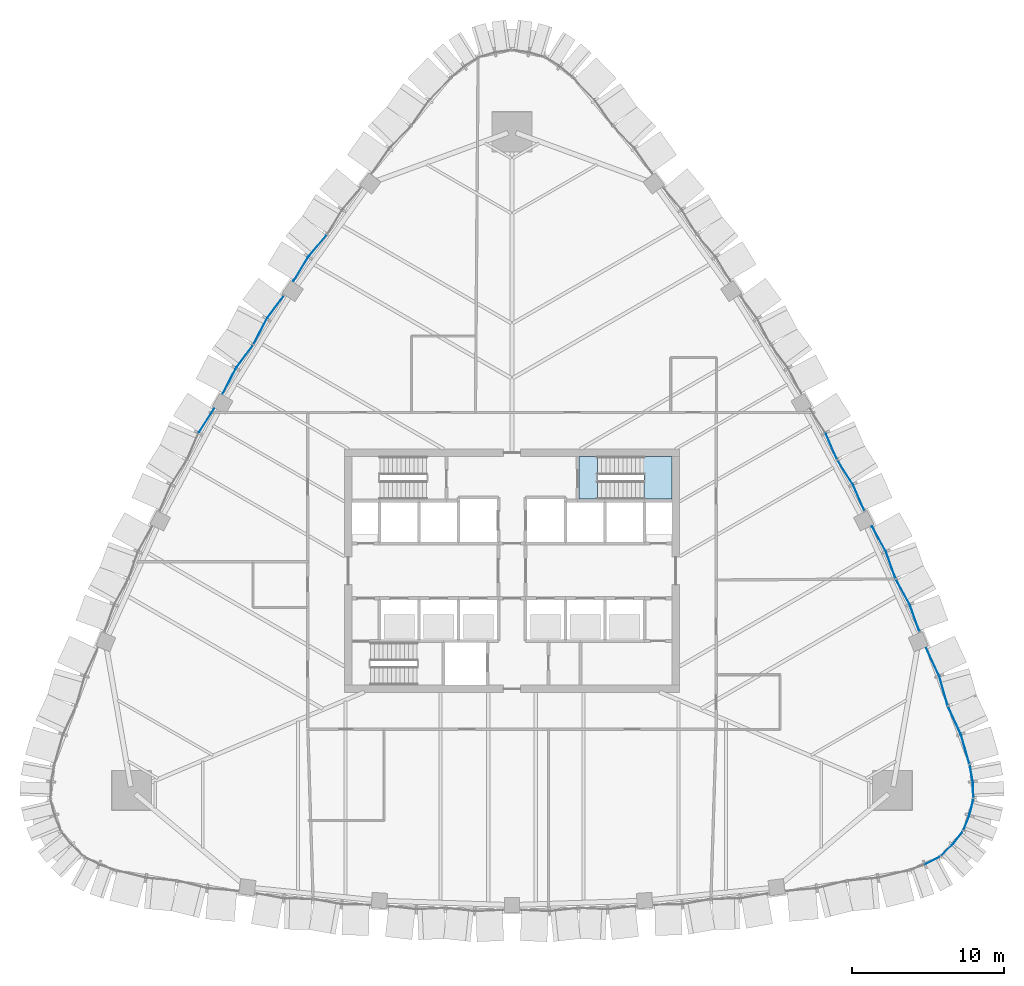
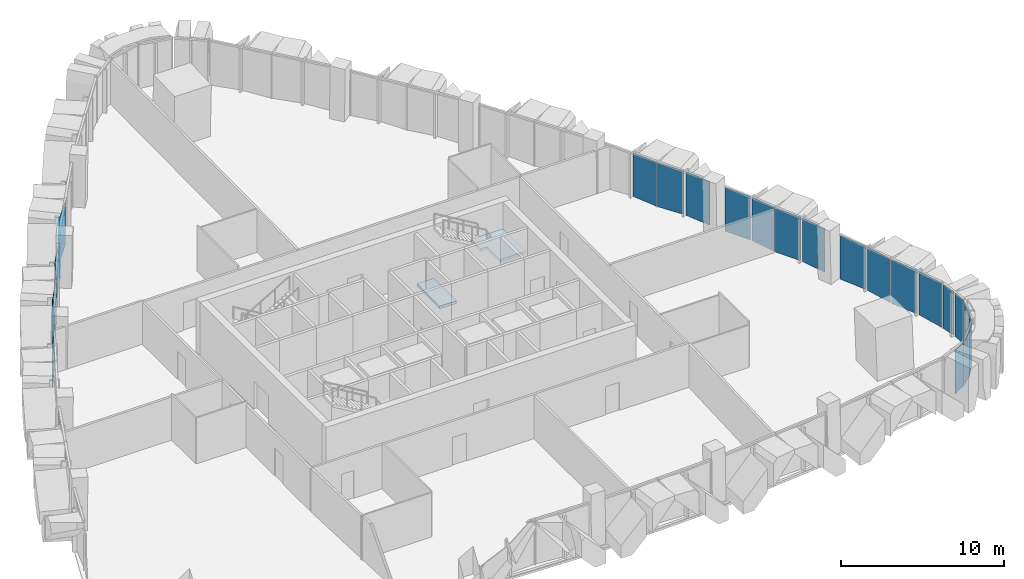
# One storey, part 10 of 18: 25 plates, 2 slabs, 11 elements without a shape of their own.
"""IFC4 building model written with IfcOpenShell, lengths in metres."""

from ifc_helpers import new_model, si_unit, direction, frame, origin, place, context, subcontext, project, spatial, polyline, outline, extrude, material, layer, layer_set, type_object, element, aggregate, save


model = new_model("IFC4")

# Units and contexts
model_context = context("Model", 3, precision=1e-05, world=origin(), true_north=direction((0.0, 1.0)))
body_context = subcontext(model_context, "Body", "Model", "MODEL_VIEW")
ifc_project = project(units=[si_unit("LENGTHUNIT", "METRE"), si_unit("AREAUNIT", "SQUARE_METRE"), si_unit("VOLUMEUNIT", "CUBIC_METRE"), si_unit("PLANEANGLEUNIT", "RADIAN"), si_unit("MASSUNIT", "GRAM", prefix="KILO")], contexts=[model_context])

# Site, building, storey
site_placement = place(None, origin())
site = spatial("IfcSite", under=ifc_project, at=site_placement, CompositionType="ELEMENT")
building_placement = place(site_placement, origin())
building = spatial("IfcBuilding", under=site, at=building_placement, Name="Sierra Prisma Convention Tower", CompositionType="ELEMENT")
storey_placement = place(building_placement, frame((0.0, 0.0, 129.800048828125)))
storey = spatial("IfcBuildingStorey", under=building, at=storey_placement, Name="L27", CompositionType="ELEMENT", Elevation=129.800048828125)

# Curtain wall, plate
ifc_material_1 = material(Name="Aluminium and glass curtain wall", Category="aluminium")
ifc_layer_1 = layer(ifc_material_1, 0.179931640625)
ifc_layer_set_1 = layer_set([ifc_layer_1], Name="CW-2 Faceted crystal curtain wall")
curtain_wall_type = type_object("IfcCurtainWallType", Name="CW-2 Faceted crystal curtain wall", PredefinedType="NOTDEFINED", material=ifc_layer_set_1)
curtain_wall_1_placement = place(storey_placement, origin())
curtain_wall_1 = element("IfcCurtainWall", 1, at=curtain_wall_1_placement, inside=storey, type_object=curtain_wall_type, Name="CW-2 SE1 L27", PredefinedType="NOTDEFINED")
ifc_material_2 = material(Name="Tinted glass bronze-grey IGU", Category="glass")
ifc_layer_2 = layer(ifc_material_2, 0.028076171875)
ifc_layer_set_2 = layer_set([ifc_layer_2], Name="CW-2 crystal pane")
plate_type = type_object("IfcPlateType", Name="CW-2 crystal pane", PredefinedType="CURTAIN_PANEL", material=ifc_layer_set_2)
plate_1_placement = place(storey_placement, frame((28.044921875, -18.7939453125, 0.0), z_axis=(0.471456464551, -0.881889336614, 0.0), x_axis=(-0.881889336614, -0.471456464551, 0.0)))
plate_1 = element("IfcPlate", 2, at=plate_1_placement, type_object=plate_type, Name="CW-2 pane SE1.1.2", PredefinedType="CURTAIN_PANEL", context=body_context, shape_type="SweptSolid", body=[
    extrude(outline(polyline([(0.0, 0.0), (0.9921879805916651, 0.0), (0.9921879805916651, -3.280029296875), (0.0, -3.280029296875), (0.0, 0.0)])), origin(), (0.0, 0.0, -1.0), 0.028076171875),
])
aggregate(curtain_wall_1, [plate_1])

# Curtain wall, plates
curtain_wall_2_placement = place(storey_placement, origin())
curtain_wall_2 = element("IfcCurtainWall", 3, at=curtain_wall_2_placement, inside=storey, type_object=curtain_wall_type, Name="CW-2 SE2 L27", PredefinedType="NOTDEFINED")
plate_2_placement = place(storey_placement, frame((28.156005859375, -18.714111328125, 0.0), z_axis=(0.686890874372, -0.726760570412, 0.0), x_axis=(0.726760570412, 0.686890874372, 0.0)))
plate_2 = element("IfcPlate", 4, at=plate_2_placement, type_object=plate_type, Name="CW-2 pane SE2.1.1", PredefinedType="CURTAIN_PANEL", context=body_context, shape_type="SweptSolid", body=[
    extrude(outline(polyline([(0.0, 0.0), (0.9920010729483986, 0.0), (0.9920010729483986, 3.280029296875), (0.0, 3.280029296875), (0.0, 0.0)])), origin(), (0.0, 0.0, -1.0), 0.028076171875),
])
plate_3_placement = place(storey_placement, frame((29.569580078125, -17.15087890625, 0.0), z_axis=(0.792047375116, -0.610459626488, 0.0), x_axis=(-0.610459626488, -0.792047375116, 0.0)))
plate_3 = element("IfcPlate", 5, at=plate_3_placement, type_object=plate_type, Name="CW-2 pane SE2.1.2", PredefinedType="CURTAIN_PANEL", context=body_context, shape_type="SweptSolid", body=[
    extrude(outline(polyline([(0.0, 0.0), (0.9922243246618905, 0.0), (0.9922243246618905, -3.280029296875), (0.0, -3.280029296875), (0.0, 0.0)])), origin(), (0.0, 0.0, -1.0), 0.028076171875),
])
aggregate(curtain_wall_2, [plate_2, plate_3])

curtain_wall_3_placement = place(storey_placement, origin())
curtain_wall_3 = element("IfcCurtainWall", 6, at=curtain_wall_3_placement, inside=storey, type_object=curtain_wall_type, Name="CW-2 SE3 L27", PredefinedType="NOTDEFINED")
plate_4_placement = place(storey_placement, frame((29.637939453125, -17.032470703125, 0.0), z_axis=(0.924678098475, -0.380749805254, 0.0), x_axis=(0.380749805254, 0.924678098475, 0.0)))
plate_4 = element("IfcPlate", 7, at=plate_4_placement, type_object=plate_type, Name="CW-2 pane SE3.1.1", PredefinedType="CURTAIN_PANEL", context=body_context, shape_type="SweptSolid", body=[
    extrude(outline(polyline([(0.0, 0.0), (0.9919520421625738, 0.0), (0.9919520421625738, 3.280029296875001), (0.0, 3.280029296875001), (0.0, 0.0)])), origin(), (0.0, 0.0, -1.0), 0.028076171875),
])
plate_5_placement = place(storey_placement, frame((30.284912109375, -15.02685546875, 0.0), z_axis=(0.972859015303, -0.231398652425, 0.0), x_axis=(-0.231398652425, -0.972859015303, 0.0)))
plate_5 = element("IfcPlate", 8, at=plate_5_placement, type_object=plate_type, Name="CW-2 pane SE3.1.2", PredefinedType="CURTAIN_PANEL", context=body_context, shape_type="SweptSolid", body=[
    extrude(outline(polyline([(0.0, 0.0), (0.9917611234756067, 0.0), (0.9917611234756067, -3.280029296875), (0.0, -3.280029296875), (0.0, 0.0)])), origin(), (0.0, 0.0, -1.0), 0.028076171875),
])
aggregate(curtain_wall_3, [plate_4, plate_5])

curtain_wall_4_placement = place(storey_placement, origin())
curtain_wall_4 = element("IfcCurtainWall", 9, at=curtain_wall_4_placement, inside=storey, type_object=curtain_wall_type, Name="CW-2 SE4 L27", PredefinedType="NOTDEFINED")
plate_6_placement = place(storey_placement, frame((30.298583984375, -14.890625, 0.0), z_axis=(0.999464131645, 0.032733004065, 0.0), x_axis=(-0.032733004065, 0.999464131645, 0.0)))
plate_6 = element("IfcPlate", 10, at=plate_6_placement, type_object=plate_type, Name="CW-2 pane SE4.1.1", PredefinedType="CURTAIN_PANEL", context=body_context, shape_type="SweptSolid", body=[
    extrude(outline(polyline([(0.0, 0.0), (0.9919866523806063, 0.0), (0.9919866523806063, 3.280029296875), (0.0, 3.280029296875), (0.0, 0.0)])), origin(), (0.0, 0.0, -1.0), 0.028076171875),
])
plate_7_placement = place(storey_placement, frame((30.064453125, -12.796142578125, 0.0), z_axis=(0.982020488227, 0.188774364529, 0.0), x_axis=(0.188774364529, -0.982020488227, 0.0)))
plate_7 = element("IfcPlate", 11, at=plate_7_placement, type_object=plate_type, Name="CW-2 pane SE4.1.2", PredefinedType="CURTAIN_PANEL", context=body_context, shape_type="SweptSolid", body=[
    extrude(outline(polyline([(0.0, 0.0), (0.9919559779339838, 0.0), (0.9919559779339838, -3.280029296875), (0.0, -3.280029296875), (0.0, 0.0)])), origin(), (0.0, 0.0, -1.0), 0.028076171875),
])
aggregate(curtain_wall_4, [plate_6, plate_7])

curtain_wall_5_placement = place(storey_placement, origin())
curtain_wall_5 = element("IfcCurtainWall", 12, at=curtain_wall_5_placement, inside=storey, type_object=curtain_wall_type, Name="CW-2 NE1 L27", PredefinedType="NOTDEFINED")
plate_8_placement = place(storey_placement, frame((30.032470703125, -12.660888671875, 0.0), z_axis=(0.961660928434, 0.274241241837, 0.0), x_axis=(-0.274241241837, 0.961660928434, 0.0)))
plate_8 = element("IfcPlate", 13, at=plate_8_placement, type_object=plate_type, Name="CW-2 pane NE1.1.1", PredefinedType="CURTAIN_PANEL", context=body_context, shape_type="SweptSolid", body=[
    extrude(outline(polyline([(0.0, 0.0), (1.9487361731047885, 0.0), (1.9487361731047885, 3.280029296875), (0.0, 3.280029296875), (0.0, 0.0)])), origin(), (0.0, 0.0, -1.0), 0.028076171875),
])
plate_9_placement = place(storey_placement, frame((28.6318359375, -8.89794921875, 0.0), z_axis=(0.906981623832, 0.421170196039, 0.0), x_axis=(0.421170196039, -0.906981623832, 0.0)))
plate_9 = element("IfcPlate", 14, at=plate_9_placement, type_object=plate_type, Name="CW-2 pane NE1.1.2", PredefinedType="CURTAIN_PANEL", context=body_context, shape_type="SweptSolid", body=[
    extrude(outline(polyline([(0.0, 0.0), (1.9488577040099995, 0.0), (1.9488577040099995, -3.280029296875), (0.0, -3.280029296875), (0.0, 0.0)])), origin(), (0.0, 0.0, -1.0), 0.028076171875),
])
plate_10_placement = place(storey_placement, frame((28.607421875, -8.83251953125, 0.0), z_axis=(0.961660928434, 0.274241241837, 0.0), x_axis=(-0.274241241837, 0.961660928434, 0.0)))
plate_10 = element("IfcPlate", 15, at=plate_10_placement, type_object=plate_type, Name="CW-2 pane NE1.2.1", PredefinedType="CURTAIN_PANEL", context=body_context, shape_type="SweptSolid", body=[
    extrude(outline(polyline([(0.0, 0.0), (1.9487361731047885, 0.0), (1.9487361731047885, 3.280029296875), (0.0, 3.280029296875), (0.0, 0.0)])), origin(), (0.0, 0.0, -1.0), 0.028076171875),
])
plate_11_placement = place(storey_placement, frame((27.206787109375, -5.069580078125, 0.0), z_axis=(0.906911531662, 0.42132110526, 0.0), x_axis=(0.42132110526, -0.906911531662, 0.0)))
plate_11 = element("IfcPlate", 16, at=plate_11_placement, type_object=plate_type, Name="CW-2 pane NE1.2.2", PredefinedType="CURTAIN_PANEL", context=body_context, shape_type="SweptSolid", body=[
    extrude(outline(polyline([(0.0, 0.0), (1.948739124681274, 0.0), (1.948739124681274, -3.280029296875), (0.0, -3.280029296875), (0.0, 0.0)])), origin(), (0.0, 0.0, -1.0), 0.028076171875),
])
aggregate(curtain_wall_5, [plate_8, plate_9, plate_10, plate_11])

curtain_wall_6_placement = place(storey_placement, origin())
curtain_wall_6 = element("IfcCurtainWall", 17, at=curtain_wall_6_placement, inside=storey, type_object=curtain_wall_type, Name="CW-2 NE2 L27", PredefinedType="NOTDEFINED")
plate_12_placement = place(storey_placement, frame((26.75537109375, -3.974853515625, 0.0), z_axis=(0.941185882352, 0.337889234603, 0.0), x_axis=(-0.337889234603, 0.941185882352, 0.0)))
plate_12 = element("IfcPlate", 18, at=plate_12_placement, type_object=plate_type, Name="CW-2 pane NE2.1.1", PredefinedType="CURTAIN_PANEL", context=body_context, shape_type="SweptSolid", body=[
    extrude(outline(polyline([(0.0, 0.0), (1.8121461851801617, 0.0), (1.8121461851801617, 3.280029296875001), (0.0, 3.280029296875001), (0.0, 0.0)])), origin(), (0.0, 0.0, -1.0), 0.028076171875),
])
plate_13_placement = place(storey_placement, frame((25.21826171875, -0.562255859375, 0.0), z_axis=(0.876750107329, 0.480946202084, 0.0), x_axis=(0.480946202084, -0.876750107329, 0.0)))
plate_13 = element("IfcPlate", 19, at=plate_13_placement, type_object=plate_type, Name="CW-2 pane NE2.1.2", PredefinedType="CURTAIN_PANEL", context=body_context, shape_type="SweptSolid", body=[
    extrude(outline(polyline([(0.0, 0.0), (1.8122235449061013, 0.0), (1.8122235449061013, -3.280029296875), (0.0, -3.280029296875), (0.0, 0.0)])), origin(), (0.0, 0.0, -1.0), 0.028076171875),
])
plate_14_placement = place(storey_placement, frame((25.189453125, -0.49853515625, 0.0), z_axis=(0.941185882352, 0.337889234603, 0.0), x_axis=(-0.337889234603, 0.941185882352, 0.0)))
plate_14 = element("IfcPlate", 20, at=plate_14_placement, type_object=plate_type, Name="CW-2 pane NE2.2.1", PredefinedType="CURTAIN_PANEL", context=body_context, shape_type="SweptSolid", body=[
    extrude(outline(polyline([(0.0, 0.0), (1.8121461851801617, 0.0), (1.8121461851801617, 3.280029296875001), (0.0, 3.280029296875001), (0.0, 0.0)])), origin(), (0.0, 0.0, -1.0), 0.028076171875),
])
plate_15_placement = place(storey_placement, frame((23.65234375, 2.9140625, 0.0), z_axis=(0.876750107329, 0.480946202084, 0.0), x_axis=(0.480946202084, -0.876750107329, 0.0)))
plate_15 = element("IfcPlate", 21, at=plate_15_placement, type_object=plate_type, Name="CW-2 pane NE2.2.2", PredefinedType="CURTAIN_PANEL", context=body_context, shape_type="SweptSolid", body=[
    extrude(outline(polyline([(0.0, 0.0), (1.8122235449061013, 0.0), (1.8122235449061013, -3.280029296875), (0.0, -3.280029296875), (0.0, 0.0)])), origin(), (0.0, 0.0, -1.0), 0.028076171875),
])
aggregate(curtain_wall_6, [plate_12, plate_13, plate_14, plate_15])

curtain_wall_7_placement = place(storey_placement, origin())
curtain_wall_7 = element("IfcCurtainWall", 22, at=curtain_wall_7_placement, inside=storey, type_object=curtain_wall_type, Name="CW-2 NE3 L27", PredefinedType="NOTDEFINED")
plate_16_placement = place(storey_placement, frame((23.14404296875, 3.94775390625, 0.0), z_axis=(0.916474110273, 0.400093995455, 0.0), x_axis=(-0.400093995455, 0.916474110273, 0.0)))
plate_16 = element("IfcPlate", 23, at=plate_16_placement, type_object=plate_type, Name="CW-2 pane NE3.1.1", PredefinedType="CURTAIN_PANEL", context=body_context, shape_type="SweptSolid", body=[
    extrude(outline(polyline([(0.0, 0.0), (1.8202509726411862, 0.0), (1.8202509726411862, 3.280029296875001), (0.0, 3.280029296875001), (0.0, 0.0)])), origin(), (0.0, 0.0, -1.0), 0.028076171875),
])
plate_17_placement = place(storey_placement, frame((21.37451171875, 7.26416015625, 0.0), z_axis=(0.842643859154, 0.538471286727, 0.0), x_axis=(0.538471286727, -0.842643859154, 0.0)))
plate_17 = element("IfcPlate", 24, at=plate_17_placement, type_object=plate_type, Name="CW-2 pane NE3.1.2", PredefinedType="CURTAIN_PANEL", context=body_context, shape_type="SweptSolid", body=[
    extrude(outline(polyline([(0.0, 0.0), (1.8203841756044454, 0.0), (1.8203841756044454, -3.280029296875), (0.0, -3.280029296875), (0.0, 0.0)])), origin(), (0.0, 0.0, -1.0), 0.028076171875),
])
plate_18_placement = place(storey_placement, frame((21.341552734375, 7.325927734375, 0.0), z_axis=(0.916452636274, 0.400143181207, 0.0), x_axis=(-0.400143181207, 0.916452636274, 0.0)))
plate_18 = element("IfcPlate", 25, at=plate_18_placement, type_object=plate_type, Name="CW-2 pane NE3.2.1", PredefinedType="CURTAIN_PANEL", context=body_context, shape_type="SweptSolid", body=[
    extrude(outline(polyline([(0.0, 0.0), (1.8200272267002844, 0.0), (1.8200272267002844, 3.280029296875), (0.0, 3.280029296875), (0.0, 0.0)])), origin(), (0.0, 0.0, -1.0), 0.028076171875),
])
aggregate(curtain_wall_7, [plate_16, plate_17, plate_18])

curtain_wall_8_placement = place(storey_placement, origin())
curtain_wall_8 = element("IfcCurtainWall", 26, at=curtain_wall_8_placement, inside=storey, type_object=curtain_wall_type, Name="CW-2 NW2 L27", PredefinedType="NOTDEFINED")
plate_19_placement = place(storey_placement, frame((-12.1630859375, 22.06396484375, 0.0), z_axis=(-0.763217620709, 0.646141519668, 0.0), x_axis=(-0.646141519668, -0.763217620709, 0.0)))
plate_19 = element("IfcPlate", 27, at=plate_19_placement, type_object=plate_type, Name="CW-2 pane NW2.2.1", PredefinedType="CURTAIN_PANEL", context=body_context, shape_type="SweptSolid", body=[
    extrude(outline(polyline([(0.0, 0.0), (1.812139294347113, 0.0), (1.812139294347113, 3.280029296875), (0.0, 3.280029296875), (0.0, 0.0)])), origin(), (0.0, 0.0, -1.0), 0.028076171875),
])
plate_20_placement = place(storey_placement, frame((-14.349853515625, 19.0263671875, 0.0), z_axis=(-0.854902749098, 0.518788289753, 0.0), x_axis=(0.518788289753, 0.854902749098, 0.0)))
plate_20 = element("IfcPlate", 28, at=plate_20_placement, type_object=plate_type, Name="CW-2 pane NW2.2.2", PredefinedType="CURTAIN_PANEL", context=body_context, shape_type="SweptSolid", body=[
    extrude(outline(polyline([(0.0, 0.0), (1.8122721068393837, 0.0), (1.8122721068393837, -3.280029296875), (0.0, -3.280029296875), (0.0, 0.0)])), origin(), (0.0, 0.0, -1.0), 0.028076171875),
])
aggregate(curtain_wall_8, [plate_19, plate_20])

curtain_wall_9_placement = place(storey_placement, origin())
curtain_wall_9 = element("IfcCurtainWall", 29, at=curtain_wall_9_placement, inside=storey, type_object=curtain_wall_type, Name="CW-2 NW3 L27", PredefinedType="NOTDEFINED")
plate_21_placement = place(storey_placement, frame((-14.990966796875, 18.0693359375, 0.0), z_axis=(-0.804738835498, 0.593629014319, 0.0), x_axis=(-0.593629014319, -0.804738835498, 0.0)))
plate_21 = element("IfcPlate", 30, at=plate_21_placement, type_object=plate_type, Name="CW-2 pane NW3.1.1", PredefinedType="CURTAIN_PANEL", context=body_context, shape_type="SweptSolid", body=[
    extrude(outline(polyline([(0.0, 0.0), (1.820272224209913, 0.0), (1.820272224209913, 3.280029296875), (0.0, 3.280029296875), (0.0, 0.0)])), origin(), (0.0, 0.0, -1.0), 0.028076171875),
])
plate_22_placement = place(storey_placement, frame((-16.97802734375, 14.878662109375, 0.0), z_axis=(-0.887703780033, 0.460415028985, 0.0), x_axis=(0.460415028985, 0.887703780033, 0.0)))
plate_22 = element("IfcPlate", 31, at=plate_22_placement, type_object=plate_type, Name="CW-2 pane NW3.1.2", PredefinedType="CURTAIN_PANEL", context=body_context, shape_type="SweptSolid", body=[
    extrude(outline(polyline([(0.0, 0.0), (1.820389676402204, 0.0), (1.820389676402204, -3.280029296875), (0.0, -3.280029296875), (0.0, 0.0)])), origin(), (0.0, 0.0, -1.0), 0.028076171875),
])
plate_23_placement = place(storey_placement, frame((-17.01513671875, 14.8193359375, 0.0), z_axis=(-0.804738835498, 0.593629014319, 0.0), x_axis=(-0.593629014319, -0.804738835498, 0.0)))
plate_23 = element("IfcPlate", 32, at=plate_23_placement, type_object=plate_type, Name="CW-2 pane NW3.2.1", PredefinedType="CURTAIN_PANEL", context=body_context, shape_type="SweptSolid", body=[
    extrude(outline(polyline([(0.0, 0.0), (1.820272224209913, 0.0), (1.820272224209913, 3.280029296875), (0.0, 3.280029296875), (0.0, 0.0)])), origin(), (0.0, 0.0, -1.0), 0.028076171875),
])
plate_24_placement = place(storey_placement, frame((-19.00244140625, 11.62890625, 0.0), z_axis=(-0.887675345098, 0.460469848855, 0.0), x_axis=(0.460469848855, 0.887675345098, 0.0)))
plate_24 = element("IfcPlate", 33, at=plate_24_placement, type_object=plate_type, Name="CW-2 pane NW3.2.2", PredefinedType="CURTAIN_PANEL", context=body_context, shape_type="SweptSolid", body=[
    extrude(outline(polyline([(0.0, 0.0), (1.8201729553173869, 0.0), (1.8201729553173869, -3.280029296875001), (0.0, -3.280029296875001), (0.0, 0.0)])), origin(), (0.0, 0.0, -1.0), 0.028076171875),
])
aggregate(curtain_wall_9, [plate_21, plate_22, plate_23, plate_24])

# Curtain wall, plate
curtain_wall_10_placement = place(storey_placement, origin())
curtain_wall_10 = element("IfcCurtainWall", 34, at=curtain_wall_10_placement, inside=storey, type_object=curtain_wall_type, Name="CW-2 NW4 L27", PredefinedType="NOTDEFINED")
plate_25_placement = place(storey_placement, frame((-19.572021484375, 10.64208984375, 0.0), z_axis=(-0.842604965771, 0.538532145427, 0.0), x_axis=(-0.538532145427, -0.842604965771, 0.0)))
plate_25 = element("IfcPlate", 35, at=plate_25_placement, type_object=plate_type, Name="CW-2 pane NW4.1.1", PredefinedType="CURTAIN_PANEL", context=body_context, shape_type="SweptSolid", body=[
    extrude(outline(polyline([(0.0, 0.0), (1.8201784567534784, 0.0), (1.8201784567534784, 3.280029296875001), (0.0, 3.280029296875001), (0.0, 0.0)])), origin(), (0.0, 0.0, -1.0), 0.028076171875),
])
aggregate(curtain_wall_10, [plate_25])

# Stair, slab
ifc_material_3 = material(Name="Concrete C30/37", Category="concrete")
stair_type = type_object("IfcStairType", Name="Stair dog-leg 1200 RC", PredefinedType="HALF_TURN_STAIR", material=ifc_material_3)
stair_placement = place(storey_placement, origin())
stair = element("IfcStair", 36, at=stair_placement, inside=storey, type_object=stair_type, Name="L27 S4", PredefinedType="HALF_TURN_STAIR")
ifc_material_4 = material(Name="Concrete C35/45", Category="concrete")
ifc_layer_3 = layer(ifc_material_4, 0.199951171875)
ifc_layer_set_3 = layer_set([ifc_layer_3], Name="Stair landing slab")
slab_type = type_object("IfcSlabType", Name="Stair landing slab", PredefinedType="LANDING", material=ifc_layer_set_3)
slab_1_placement = place(storey_placement, frame((0.0, 0.0, 1.800048828125)))
slab_1 = element("IfcSlab", 37, at=slab_1_placement, type_object=slab_type, Name="S4 landing 1", PredefinedType="LANDING", context=body_context, shape_type="SweptSolid", body=[
    extrude(outline(polyline([(10.5, 7.5), (10.5, 4.699951171875), (8.677978515625, 4.699951171875), (8.677978515625, 6.300048828125), (8.22998046875, 6.300048828125), (8.22998046875, 7.5), (10.5, 7.5)])), origin(), (0.0, 0.0, 1.0), 0.199951171875),
])
aggregate(stair, [slab_1])

# Slab
slab_2_placement = place(storey_placement, frame((0.0, 0.0, -0.199951171875)))
element("IfcSlab", 38, at=slab_2_placement, inside=storey, type_object=slab_type, Name="S4 floor landing L27", PredefinedType="LANDING", context=body_context, shape_type="SweptSolid", body=[
    extrude(outline(polyline([(4.39990234375, 4.699951171875), (5.60205078125, 4.699951171875), (5.60205078125, 7.5), (4.39990234375, 7.5), (4.39990234375, 4.699951171875)])), origin(), (0.0, 0.0, 1.0), 0.199951171875),
])

save(model, "model.ifc")
